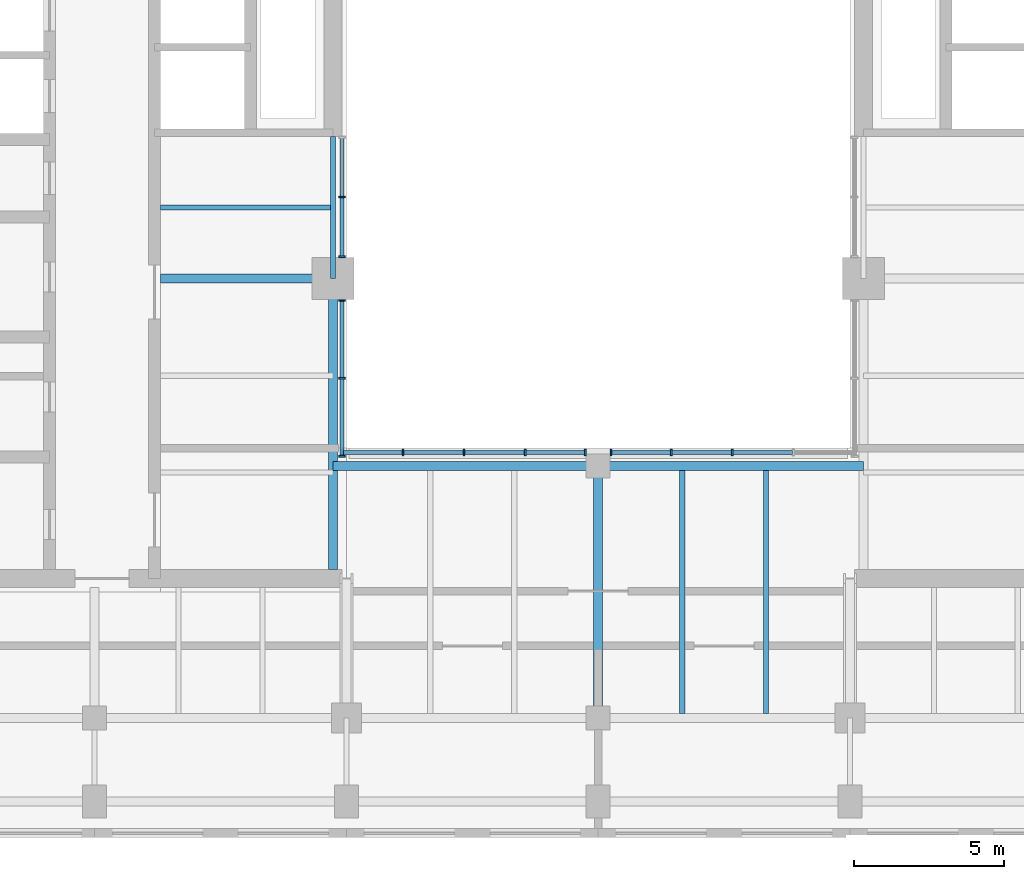
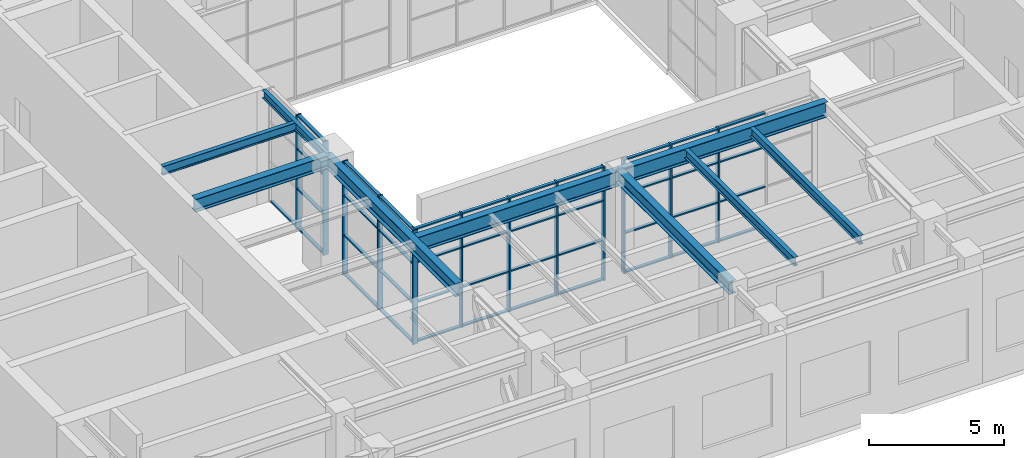
# One storey, part 2 of 11: 54 members, 9 beams, 4 elements without a shape of their own.
"""IFC4 building model written with IfcOpenShell, lengths in metres."""

from ifc_helpers import new_model, si_unit, direction, frame, origin, origin_2d, place, context, subcontext, project, spatial, rectangle, i_section, extrude, material, material_profile, profile_set, type_object, element, aggregate, save


model = new_model("IFC4")

# Units and contexts
model_context = context("Model", 3, precision=1e-05, world=origin(), true_north=direction((0.0, 1.0)))
body_context = subcontext(model_context, "Body", "Model", "MODEL_VIEW")
ifc_project = project(units=[si_unit("LENGTHUNIT", "METRE"), si_unit("AREAUNIT", "SQUARE_METRE"), si_unit("VOLUMEUNIT", "CUBIC_METRE"), si_unit("PLANEANGLEUNIT", "RADIAN"), si_unit("MASSUNIT", "GRAM", prefix="KILO")], contexts=[model_context])

# Site, building, storey
site_placement = place(None, origin())
site = spatial("IfcSite", under=ifc_project, at=site_placement, CompositionType="ELEMENT")
building_placement = place(site_placement, origin())
building = spatial("IfcBuilding", under=site, at=building_placement, Name="Claustro Exchange Tower", CompositionType="ELEMENT")
storey_placement = place(building_placement, frame((0.0, 0.0, 281.699951171875)))
storey = spatial("IfcBuildingStorey", under=building, at=storey_placement, Name="L64", CompositionType="ELEMENT", Elevation=281.699951171875)

# Beams
ifc_material_1 = material(Name="Steel S355", Category="steel")
ifc_material_profile_1 = material_profile(ifc_material_1, i_section(OverallWidth=0.300048828125, OverallDepth=0.590087890625, WebThickness=0.012939453125, FlangeThickness=0.02490234375, FilletRadius=0.027099609375, at=origin_2d()), Name="HE 600 A")
ifc_profile_set_1 = profile_set([ifc_material_profile_1], Name="Steel S355")
beam_type_1 = type_object("IfcBeamType", Name="B10 HE 600 A floor girder", PredefinedType="BEAM", material=ifc_profile_set_1)
beam_1_placement = place(storey_placement, frame((25.199951171875, 8.39990234375, 4.85498046875), z_axis=(0.0, 1.0, 0.0), x_axis=(-1.0, 0.0, 0.0)))
element("IfcBeam", 1, at=beam_1_placement, inside=storey, type_object=beam_type_1, Name="Beam B10 ROOF", PredefinedType="BEAM", context=body_context, shape_type="SweptSolid", body=[
    extrude(i_section(OverallWidth=0.300048828125, OverallDepth=0.590087890625, WebThickness=0.012939453125, FlangeThickness=0.02490234375, FilletRadius=0.027099609375, at=origin_2d()), origin(), (0.0, 0.0, 1.0), 8.400146484375),
])
beam_2_placement = place(storey_placement, frame((10.60009765625, 23.050048828125, 4.85498046875), z_axis=(1.0, 0.0, 0.0), x_axis=(0.0, 1.0, 0.0)))
element("IfcBeam", 2, at=beam_2_placement, inside=storey, type_object=beam_type_1, Name="Beam B10 core step framing ROOF", PredefinedType="BEAM", context=body_context, shape_type="SweptSolid", body=[
    extrude(i_section(OverallWidth=0.300048828125, OverallDepth=0.590087890625, WebThickness=0.012939453125, FlangeThickness=0.02490234375, FilletRadius=0.027099609375, at=origin_2d()), origin(), (0.0, 0.0, 1.0), 5.75),
])
beam_3_placement = place(storey_placement, frame((16.35009765625, 13.35009765625, 4.85498046875), z_axis=(0.0, 1.0, 0.0), x_axis=(-1.0, 0.0, 0.0)))
element("IfcBeam", 3, at=beam_3_placement, inside=storey, type_object=beam_type_1, Name="Beam B10 core step framing ROOF", PredefinedType="BEAM", context=body_context, shape_type="SweptSolid", body=[
    extrude(i_section(OverallWidth=0.300048828125, OverallDepth=0.590087890625, WebThickness=0.012939453125, FlangeThickness=0.02490234375, FilletRadius=0.027099609375, at=origin_2d()), origin(), (0.0, 0.0, 1.0), 9.699951171875),
])
ifc_material_2 = material(Name="Steel S355", Category="steel")
ifc_material_profile_2 = material_profile(ifc_material_2, i_section(OverallWidth=0.179931640625, OverallDepth=0.39990234375, WebThickness=0.008544921875, FlangeThickness=0.013427734375, FilletRadius=0.02099609375, at=origin_2d()), Name="IPE 400")
ifc_profile_set_2 = profile_set([ifc_material_profile_2], Name="Steel S355")
beam_type_2 = type_object("IfcBeamType", Name="B11 IPE 400 secondary beam", PredefinedType="BEAM", material=ifc_profile_set_2)
for number, where, z_axis, x_axis, name in (
    (4, (28.0, 8.550048828125, 4.949951171875), (0.0, 1.0, 0.0), (-1.0, 0.0, 0.0), "Beam B11 ROOF"),
    (5, (30.800048828125, 8.550048828125, 4.949951171875), (0.0, 1.0, 0.0), (-1.0, 0.0, 0.0), "Beam B11 ROOF"),
):
    element("IfcBeam", number, at=place(storey_placement, frame(where, z_axis=z_axis, x_axis=x_axis)), inside=storey, type_object=beam_type_2, Name=name, PredefinedType="BEAM", context=body_context, shape_type="SweptSolid", body=[
        extrude(i_section(OverallWidth=0.179931640625, OverallDepth=0.39990234375, WebThickness=0.008544921875, FlangeThickness=0.013427734375, FilletRadius=0.02099609375, at=origin_2d()), origin(), (0.0, 0.0, 1.0), 8.099853515625),
    ])
beam_4_placement = place(storey_placement, frame((10.60009765625, 25.425048828125, 4.949951171875), z_axis=(1.0, 0.0, 0.0), x_axis=(0.0, 1.0, 0.0)))
element("IfcBeam", 6, at=beam_4_placement, inside=storey, type_object=beam_type_2, Name="Beam B11 core step framing ROOF", PredefinedType="BEAM", context=body_context, shape_type="SweptSolid", body=[
    extrude(i_section(OverallWidth=0.179931640625, OverallDepth=0.39990234375, WebThickness=0.008544921875, FlangeThickness=0.013427734375, FilletRadius=0.02099609375, at=origin_2d()), origin(), (0.0, 0.0, 1.0), 5.75),
])
ifc_material_3 = material(Name="Steel S355", Category="steel")
ifc_material_profile_3 = material_profile(ifc_material_3, i_section(OverallWidth=0.300048828125, OverallDepth=0.68994140625, WebThickness=0.014404296875, FlangeThickness=0.027099609375, FilletRadius=0.027099609375, at=origin_2d()), Name="HE 700 A")
ifc_profile_set_3 = profile_set([ifc_material_profile_3], Name="Steel S355")
beam_type_3 = type_object("IfcBeamType", Name="B13 HE 700 A light well edge girder", PredefinedType="BEAM", material=ifc_profile_set_3)
beam_5_placement = place(storey_placement, frame((16.35009765625, 16.800048828125, 4.804931640625), z_axis=(1.0, 0.0, 0.0), x_axis=(0.0, 1.0, 0.0)))
element("IfcBeam", 7, at=beam_5_placement, inside=storey, type_object=beam_type_3, Name="Beam B13 ROOF", PredefinedType="BEAM", context=body_context, shape_type="SweptSolid", body=[
    extrude(i_section(OverallWidth=0.300048828125, OverallDepth=0.68994140625, WebThickness=0.014404296875, FlangeThickness=0.027099609375, FilletRadius=0.027099609375, at=origin_2d()), origin(), (0.0, 0.0, 1.0), 8.849853515625),
])
beam_6_placement = place(storey_placement, frame((25.199951171875, 16.800048828125, 4.804931640625), z_axis=(1.0, 0.0, 0.0), x_axis=(0.0, 1.0, 0.0)))
element("IfcBeam", 8, at=beam_6_placement, inside=storey, type_object=beam_type_3, Name="Beam B13 ROOF", PredefinedType="BEAM", context=body_context, shape_type="SweptSolid", body=[
    extrude(i_section(OverallWidth=0.300048828125, OverallDepth=0.68994140625, WebThickness=0.014404296875, FlangeThickness=0.027099609375, FilletRadius=0.027099609375, at=origin_2d()), origin(), (0.0, 0.0, 1.0), 8.85009765625),
])
ifc_material_4 = material(Name="Steel S355", Category="steel")
ifc_material_profile_4 = material_profile(ifc_material_4, i_section(OverallWidth=0.169921875, OverallDepth=0.360107421875, WebThickness=0.008056640625, FlangeThickness=0.0126953125, FilletRadius=0.01806640625, at=origin_2d()), Name="IPE 360")
ifc_profile_set_4 = profile_set([ifc_material_profile_4], Name="Steel S355")
beam_type_4 = type_object("IfcBeamType", Name="B16 IPE 360 short-span beam", PredefinedType="BEAM", material=ifc_profile_set_4)
beam_7_placement = place(storey_placement, frame((16.35009765625, 23.050048828125, 4.969970703125), z_axis=(0.0, 1.0, 0.0), x_axis=(-1.0, 0.0, 0.0)))
element("IfcBeam", 9, at=beam_7_placement, inside=storey, type_object=beam_type_4, Name="Beam B16 core step framing ROOF", PredefinedType="BEAM", context=body_context, shape_type="SweptSolid", body=[
    extrude(i_section(OverallWidth=0.169921875, OverallDepth=0.360107421875, WebThickness=0.008056640625, FlangeThickness=0.0126953125, FilletRadius=0.01806640625, at=origin_2d()), origin(), (0.0, 0.0, 1.0), 4.75),
])

# Curtain wall, members
ifc_material_5 = material(Name="Aluminium frame, clear double glazing", Category="aluminium")
curtain_wall_type = type_object("IfcCurtainWallType", Name="CW4 plant louvre screen", PredefinedType="USERDEFINED", material=ifc_material_5)
curtain_wall_1_placement = place(storey_placement, origin())
curtain_wall_1 = element("IfcCurtainWall", 10, at=curtain_wall_1_placement, inside=storey, type_object=curtain_wall_type, Name="Curtain wall CW4 L64", ObjectType="STICK CURTAIN WALL", PredefinedType="USERDEFINED")
ifc_material_6 = material(Name="Aluminium mullion", Category="aluminium")
ifc_material_profile_5 = material_profile(ifc_material_6, rectangle(XDim=0.219970703125, YDim=0.06005859375, at=origin_2d()), Name="CW4-M 60x220")
ifc_profile_set_5 = profile_set([ifc_material_profile_5], Name="Aluminium mullion")
member_type_1 = type_object("IfcMemberType", Name="CW4-M 60 x 220 mullion", PredefinedType="MULLION", material=ifc_profile_set_5)
member_1_placement = place(storey_placement, frame((16.64990234375, 17.1298828125, 0.0), z_axis=(0.0, 0.0, 1.0), x_axis=(-1.0, 0.0, 0.0)))
member_1 = element("IfcMember", 11, at=member_1_placement, type_object=member_type_1, Name="CW4 mullion 1", PredefinedType="MULLION", context=body_context, shape_type="SweptSolid", body=[
    extrude(rectangle(XDim=0.219970703125, YDim=0.06005859375, at=origin_2d()), origin(), (0.0, 0.0, 1.0), 5.150146484375),
])
member_2_placement = place(storey_placement, frame((16.64990234375, 19.72509765625, 0.0), z_axis=(0.0, 0.0, 1.0), x_axis=(-1.0, 0.0, 0.0)))
member_2 = element("IfcMember", 12, at=member_2_placement, type_object=member_type_1, Name="CW4 mullion 2", PredefinedType="MULLION", context=body_context, shape_type="SweptSolid", body=[
    extrude(rectangle(XDim=0.219970703125, YDim=0.06005859375, at=origin_2d()), origin(), (0.0, 0.0, 1.0), 5.150146484375),
])
member_3_placement = place(storey_placement, frame((16.64990234375, 22.320068359375, 0.0), z_axis=(0.0, 0.0, 1.0), x_axis=(-1.0, 0.0, 0.0)))
member_3 = element("IfcMember", 13, at=member_3_placement, type_object=member_type_1, Name="CW4 mullion 3", PredefinedType="MULLION", context=body_context, shape_type="SweptSolid", body=[
    extrude(rectangle(XDim=0.219970703125, YDim=0.06005859375, at=origin_2d()), origin(), (0.0, 0.0, 1.0), 5.150146484375),
])

curtain_wall_2_placement = place(storey_placement, origin())
curtain_wall_2 = element("IfcCurtainWall", 14, at=curtain_wall_2_placement, inside=storey, type_object=curtain_wall_type, Name="Curtain wall CW4 L64", ObjectType="STICK CURTAIN WALL", PredefinedType="USERDEFINED")
member_4_placement = place(storey_placement, frame((16.64990234375, 23.780029296875, 0.0), z_axis=(0.0, 0.0, 1.0), x_axis=(-1.0, 0.0, 0.0)))
member_4 = element("IfcMember", 15, at=member_4_placement, type_object=member_type_1, Name="CW4 mullion 1", PredefinedType="MULLION", context=body_context, shape_type="SweptSolid", body=[
    extrude(rectangle(XDim=0.219970703125, YDim=0.06005859375, at=origin_2d()), origin(), (0.0, 0.0, 1.0), 5.150146484375),
])
member_5_placement = place(storey_placement, frame((16.64990234375, 25.77490234375, 0.0), z_axis=(0.0, 0.0, 1.0), x_axis=(-1.0, 0.0, 0.0)))
member_5 = element("IfcMember", 16, at=member_5_placement, type_object=member_type_1, Name="CW4 mullion 2", PredefinedType="MULLION", context=body_context, shape_type="SweptSolid", body=[
    extrude(rectangle(XDim=0.219970703125, YDim=0.06005859375, at=origin_2d()), origin(), (0.0, 0.0, 1.0), 5.150146484375),
])

curtain_wall_3_placement = place(storey_placement, origin())
curtain_wall_3 = element("IfcCurtainWall", 17, at=curtain_wall_3_placement, inside=storey, type_object=curtain_wall_type, Name="Curtain wall CW4 L64", ObjectType="STICK CURTAIN WALL", PredefinedType="USERDEFINED")
member_6_placement = place(storey_placement, frame((16.679931640625, 17.25, 0.0), z_axis=(0.0, 0.0, 1.0), x_axis=(0.0, 1.0, 0.0)))
member_6 = element("IfcMember", 18, at=member_6_placement, type_object=member_type_1, Name="CW4 mullion 1", PredefinedType="MULLION", context=body_context, shape_type="SweptSolid", body=[
    extrude(rectangle(XDim=0.219970703125, YDim=0.06005859375, at=origin_2d()), origin(), (0.0, 0.0, 1.0), 5.150146484375),
])
member_7_placement = place(storey_placement, frame((18.6875, 17.25, 0.0), z_axis=(0.0, 0.0, 1.0), x_axis=(0.0, 1.0, 0.0)))
member_7 = element("IfcMember", 19, at=member_7_placement, type_object=member_type_1, Name="CW4 mullion 2", PredefinedType="MULLION", context=body_context, shape_type="SweptSolid", body=[
    extrude(rectangle(XDim=0.219970703125, YDim=0.06005859375, at=origin_2d()), origin(), (0.0, 0.0, 1.0), 5.150146484375),
])
member_8_placement = place(storey_placement, frame((20.72509765625, 17.25, 0.0), z_axis=(0.0, 0.0, 1.0), x_axis=(0.0, 1.0, 0.0)))
member_8 = element("IfcMember", 20, at=member_8_placement, type_object=member_type_1, Name="CW4 mullion 3", PredefinedType="MULLION", context=body_context, shape_type="SweptSolid", body=[
    extrude(rectangle(XDim=0.219970703125, YDim=0.06005859375, at=origin_2d()), origin(), (0.0, 0.0, 1.0), 5.150146484375),
])
member_9_placement = place(storey_placement, frame((22.762451171875, 17.25, 0.0), z_axis=(0.0, 0.0, 1.0), x_axis=(0.0, 1.0, 0.0)))
member_9 = element("IfcMember", 21, at=member_9_placement, type_object=member_type_1, Name="CW4 mullion 4", PredefinedType="MULLION", context=body_context, shape_type="SweptSolid", body=[
    extrude(rectangle(XDim=0.219970703125, YDim=0.06005859375, at=origin_2d()), origin(), (0.0, 0.0, 1.0), 5.150146484375),
])
member_10_placement = place(storey_placement, frame((24.77001953125, 17.25, 0.0), z_axis=(0.0, 0.0, 1.0), x_axis=(0.0, 1.0, 0.0)))
member_10 = element("IfcMember", 22, at=member_10_placement, type_object=member_type_1, Name="CW4 mullion 5", PredefinedType="MULLION", context=body_context, shape_type="SweptSolid", body=[
    extrude(rectangle(XDim=0.219970703125, YDim=0.06005859375, at=origin_2d()), origin(), (0.0, 0.0, 1.0), 5.150146484375),
])

curtain_wall_4_placement = place(storey_placement, origin())
curtain_wall_4 = element("IfcCurtainWall", 23, at=curtain_wall_4_placement, inside=storey, type_object=curtain_wall_type, Name="Curtain wall CW4 L64", ObjectType="STICK CURTAIN WALL", PredefinedType="USERDEFINED")
member_11_placement = place(storey_placement, frame((25.6298828125, 17.25, 0.0), z_axis=(0.0, 0.0, 1.0), x_axis=(0.0, 1.0, 0.0)))
member_11 = element("IfcMember", 24, at=member_11_placement, type_object=member_type_1, Name="CW4 mullion 1", PredefinedType="MULLION", context=body_context, shape_type="SweptSolid", body=[
    extrude(rectangle(XDim=0.219970703125, YDim=0.06005859375, at=origin_2d()), origin(), (0.0, 0.0, 1.0), 5.150146484375),
])
member_12_placement = place(storey_placement, frame((27.637451171875, 17.25, 0.0), z_axis=(0.0, 0.0, 1.0), x_axis=(0.0, 1.0, 0.0)))
member_12 = element("IfcMember", 25, at=member_12_placement, type_object=member_type_1, Name="CW4 mullion 2", PredefinedType="MULLION", context=body_context, shape_type="SweptSolid", body=[
    extrude(rectangle(XDim=0.219970703125, YDim=0.06005859375, at=origin_2d()), origin(), (0.0, 0.0, 1.0), 5.150146484375),
])
member_13_placement = place(storey_placement, frame((29.675048828125, 17.25, 0.0), z_axis=(0.0, 0.0, 1.0), x_axis=(0.0, 1.0, 0.0)))
member_13 = element("IfcMember", 26, at=member_13_placement, type_object=member_type_1, Name="CW4 mullion 3", PredefinedType="MULLION", context=body_context, shape_type="SweptSolid", body=[
    extrude(rectangle(XDim=0.219970703125, YDim=0.06005859375, at=origin_2d()), origin(), (0.0, 0.0, 1.0), 5.150146484375),
])

# Member
ifc_material_7 = material(Name="Aluminium transom", Category="aluminium")
ifc_material_profile_6 = material_profile(ifc_material_7, rectangle(XDim=0.139892578125, YDim=0.06005859375, at=origin_2d()), Name="CW4-T 60x140")
ifc_profile_set_6 = profile_set([ifc_material_profile_6], Name="Aluminium transom")
member_type_2 = type_object("IfcMemberType", Name="CW4-T 60 x 140 transom", PredefinedType="USERDEFINED", material=ifc_profile_set_6)
member_14_placement = place(storey_placement, frame((16.64990234375, 17.159912109375, 0.030029296875), z_axis=(0.0, 1.0, 0.0), x_axis=(-1.0, 0.0, 0.0)))
member_14 = element("IfcMember", 27, at=member_14_placement, type_object=member_type_2, Name="CW4 transom 1.1", ObjectType="TRANSOM", PredefinedType="USERDEFINED", context=body_context, shape_type="SweptSolid", body=[
    extrude(rectangle(XDim=0.139892578125, YDim=0.06005859375, at=origin_2d()), origin(), (0.0, 0.0, 1.0), 2.53515625),
])

member_15_placement = place(storey_placement, frame((16.64990234375, 17.159912109375, 1.800048828125), z_axis=(0.0, 1.0, 0.0), x_axis=(-1.0, 0.0, 0.0)))
member_15 = element("IfcMember", 28, at=member_15_placement, type_object=member_type_2, Name="CW4 transom 1.2", ObjectType="TRANSOM", PredefinedType="USERDEFINED", context=body_context, shape_type="SweptSolid", body=[
    extrude(rectangle(XDim=0.139892578125, YDim=0.06005859375, at=origin_2d()), origin(), (0.0, 0.0, 1.0), 2.53515625),
])

member_16_placement = place(storey_placement, frame((16.64990234375, 17.159912109375, 3.60009765625), z_axis=(0.0, 1.0, 0.0), x_axis=(-1.0, 0.0, 0.0)))
member_16 = element("IfcMember", 29, at=member_16_placement, type_object=member_type_2, Name="CW4 transom 1.3", ObjectType="TRANSOM", PredefinedType="USERDEFINED", context=body_context, shape_type="SweptSolid", body=[
    extrude(rectangle(XDim=0.139892578125, YDim=0.06005859375, at=origin_2d()), origin(), (0.0, 0.0, 1.0), 2.53515625),
])

member_17_placement = place(storey_placement, frame((16.64990234375, 17.159912109375, 5.1201171875), z_axis=(0.0, 1.0, 0.0), x_axis=(-1.0, 0.0, 0.0)))
member_17 = element("IfcMember", 30, at=member_17_placement, type_object=member_type_2, Name="CW4 transom 1.4", ObjectType="TRANSOM", PredefinedType="USERDEFINED", context=body_context, shape_type="SweptSolid", body=[
    extrude(rectangle(XDim=0.139892578125, YDim=0.06005859375, at=origin_2d()), origin(), (0.0, 0.0, 1.0), 2.53515625),
])

member_18_placement = place(storey_placement, frame((16.64990234375, 19.7548828125, 0.030029296875), z_axis=(0.0, 1.0, 0.0), x_axis=(-1.0, 0.0, 0.0)))
member_18 = element("IfcMember", 31, at=member_18_placement, type_object=member_type_2, Name="CW4 transom 2.1", ObjectType="TRANSOM", PredefinedType="USERDEFINED", context=body_context, shape_type="SweptSolid", body=[
    extrude(rectangle(XDim=0.139892578125, YDim=0.06005859375, at=origin_2d()), origin(), (0.0, 0.0, 1.0), 2.53515625),
])

member_19_placement = place(storey_placement, frame((16.64990234375, 19.7548828125, 1.800048828125), z_axis=(0.0, 1.0, 0.0), x_axis=(-1.0, 0.0, 0.0)))
member_19 = element("IfcMember", 32, at=member_19_placement, type_object=member_type_2, Name="CW4 transom 2.2", ObjectType="TRANSOM", PredefinedType="USERDEFINED", context=body_context, shape_type="SweptSolid", body=[
    extrude(rectangle(XDim=0.139892578125, YDim=0.06005859375, at=origin_2d()), origin(), (0.0, 0.0, 1.0), 2.53515625),
])

member_20_placement = place(storey_placement, frame((16.64990234375, 19.7548828125, 3.60009765625), z_axis=(0.0, 1.0, 0.0), x_axis=(-1.0, 0.0, 0.0)))
member_20 = element("IfcMember", 33, at=member_20_placement, type_object=member_type_2, Name="CW4 transom 2.3", ObjectType="TRANSOM", PredefinedType="USERDEFINED", context=body_context, shape_type="SweptSolid", body=[
    extrude(rectangle(XDim=0.139892578125, YDim=0.06005859375, at=origin_2d()), origin(), (0.0, 0.0, 1.0), 2.53515625),
])

member_21_placement = place(storey_placement, frame((16.64990234375, 19.7548828125, 5.1201171875), z_axis=(0.0, 1.0, 0.0), x_axis=(-1.0, 0.0, 0.0)))
member_21 = element("IfcMember", 34, at=member_21_placement, type_object=member_type_2, Name="CW4 transom 2.4", ObjectType="TRANSOM", PredefinedType="USERDEFINED", context=body_context, shape_type="SweptSolid", body=[
    extrude(rectangle(XDim=0.139892578125, YDim=0.06005859375, at=origin_2d()), origin(), (0.0, 0.0, 1.0), 2.53515625),
])

aggregate(curtain_wall_1, [member_1, member_2, member_3, member_14, member_15, member_16, member_17, member_18, member_19, member_20, member_21])

member_22_placement = place(storey_placement, frame((16.64990234375, 23.81005859375, 0.030029296875), z_axis=(0.0, 1.0, 0.0), x_axis=(-1.0, 0.0, 0.0)))
member_22 = element("IfcMember", 35, at=member_22_placement, type_object=member_type_2, Name="CW4 transom 1.1", ObjectType="TRANSOM", PredefinedType="USERDEFINED", context=body_context, shape_type="SweptSolid", body=[
    extrude(rectangle(XDim=0.139892578125, YDim=0.06005859375, at=origin_2d()), origin(), (0.0, 0.0, 1.0), 1.93505859375),
])

member_23_placement = place(storey_placement, frame((16.64990234375, 23.81005859375, 1.800048828125), z_axis=(0.0, 1.0, 0.0), x_axis=(-1.0, 0.0, 0.0)))
member_23 = element("IfcMember", 36, at=member_23_placement, type_object=member_type_2, Name="CW4 transom 1.2", ObjectType="TRANSOM", PredefinedType="USERDEFINED", context=body_context, shape_type="SweptSolid", body=[
    extrude(rectangle(XDim=0.139892578125, YDim=0.06005859375, at=origin_2d()), origin(), (0.0, 0.0, 1.0), 1.93505859375),
])

member_24_placement = place(storey_placement, frame((16.64990234375, 23.81005859375, 3.60009765625), z_axis=(0.0, 1.0, 0.0), x_axis=(-1.0, 0.0, 0.0)))
member_24 = element("IfcMember", 37, at=member_24_placement, type_object=member_type_2, Name="CW4 transom 1.3", ObjectType="TRANSOM", PredefinedType="USERDEFINED", context=body_context, shape_type="SweptSolid", body=[
    extrude(rectangle(XDim=0.139892578125, YDim=0.06005859375, at=origin_2d()), origin(), (0.0, 0.0, 1.0), 1.93505859375),
])

member_25_placement = place(storey_placement, frame((16.64990234375, 23.81005859375, 5.1201171875), z_axis=(0.0, 1.0, 0.0), x_axis=(-1.0, 0.0, 0.0)))
member_25 = element("IfcMember", 38, at=member_25_placement, type_object=member_type_2, Name="CW4 transom 1.4", ObjectType="TRANSOM", PredefinedType="USERDEFINED", context=body_context, shape_type="SweptSolid", body=[
    extrude(rectangle(XDim=0.139892578125, YDim=0.06005859375, at=origin_2d()), origin(), (0.0, 0.0, 1.0), 1.93505859375),
])

member_26_placement = place(storey_placement, frame((16.64990234375, 25.804931640625, 0.030029296875), z_axis=(0.0, 1.0, 0.0), x_axis=(-1.0, 0.0, 0.0)))
member_26 = element("IfcMember", 39, at=member_26_placement, type_object=member_type_2, Name="CW4 transom 2.1", ObjectType="TRANSOM", PredefinedType="USERDEFINED", context=body_context, shape_type="SweptSolid", body=[
    extrude(rectangle(XDim=0.139892578125, YDim=0.06005859375, at=origin_2d()), origin(), (0.0, 0.0, 1.0), 1.93505859375),
])

aggregate(curtain_wall_2, [member_4, member_5, member_22, member_23, member_24, member_25, member_26])

member_27_placement = place(storey_placement, frame((16.7099609375, 17.25, 0.030029296875), z_axis=(1.0, 0.0, 0.0), x_axis=(0.0, 1.0, 0.0)))
member_27 = element("IfcMember", 40, at=member_27_placement, type_object=member_type_2, Name="CW4 transom 1.1", ObjectType="TRANSOM", PredefinedType="USERDEFINED", context=body_context, shape_type="SweptSolid", body=[
    extrude(rectangle(XDim=0.139892578125, YDim=0.06005859375, at=origin_2d()), origin(), (0.0, 0.0, 1.0), 1.947509765625),
])

member_28_placement = place(storey_placement, frame((16.7099609375, 17.25, 1.800048828125), z_axis=(1.0, 0.0, 0.0), x_axis=(0.0, 1.0, 0.0)))
member_28 = element("IfcMember", 41, at=member_28_placement, type_object=member_type_2, Name="CW4 transom 1.2", ObjectType="TRANSOM", PredefinedType="USERDEFINED", context=body_context, shape_type="SweptSolid", body=[
    extrude(rectangle(XDim=0.139892578125, YDim=0.06005859375, at=origin_2d()), origin(), (0.0, 0.0, 1.0), 1.947509765625),
])

member_29_placement = place(storey_placement, frame((16.7099609375, 17.25, 3.60009765625), z_axis=(1.0, 0.0, 0.0), x_axis=(0.0, 1.0, 0.0)))
member_29 = element("IfcMember", 42, at=member_29_placement, type_object=member_type_2, Name="CW4 transom 1.3", ObjectType="TRANSOM", PredefinedType="USERDEFINED", context=body_context, shape_type="SweptSolid", body=[
    extrude(rectangle(XDim=0.139892578125, YDim=0.06005859375, at=origin_2d()), origin(), (0.0, 0.0, 1.0), 1.947509765625),
])

member_30_placement = place(storey_placement, frame((16.7099609375, 17.25, 5.1201171875), z_axis=(1.0, 0.0, 0.0), x_axis=(0.0, 1.0, 0.0)))
member_30 = element("IfcMember", 43, at=member_30_placement, type_object=member_type_2, Name="CW4 transom 1.4", ObjectType="TRANSOM", PredefinedType="USERDEFINED", context=body_context, shape_type="SweptSolid", body=[
    extrude(rectangle(XDim=0.139892578125, YDim=0.06005859375, at=origin_2d()), origin(), (0.0, 0.0, 1.0), 1.947509765625),
])

member_31_placement = place(storey_placement, frame((18.717529296875, 17.25, 0.030029296875), z_axis=(1.0, 0.0, 0.0), x_axis=(0.0, 1.0, 0.0)))
member_31 = element("IfcMember", 44, at=member_31_placement, type_object=member_type_2, Name="CW4 transom 2.1", ObjectType="TRANSOM", PredefinedType="USERDEFINED", context=body_context, shape_type="SweptSolid", body=[
    extrude(rectangle(XDim=0.139892578125, YDim=0.06005859375, at=origin_2d()), origin(), (0.0, 0.0, 1.0), 1.9775390625),
])

member_32_placement = place(storey_placement, frame((18.717529296875, 17.25, 1.800048828125), z_axis=(1.0, 0.0, 0.0), x_axis=(0.0, 1.0, 0.0)))
member_32 = element("IfcMember", 45, at=member_32_placement, type_object=member_type_2, Name="CW4 transom 2.2", ObjectType="TRANSOM", PredefinedType="USERDEFINED", context=body_context, shape_type="SweptSolid", body=[
    extrude(rectangle(XDim=0.139892578125, YDim=0.06005859375, at=origin_2d()), origin(), (0.0, 0.0, 1.0), 1.9775390625),
])

member_33_placement = place(storey_placement, frame((18.717529296875, 17.25, 3.60009765625), z_axis=(1.0, 0.0, 0.0), x_axis=(0.0, 1.0, 0.0)))
member_33 = element("IfcMember", 46, at=member_33_placement, type_object=member_type_2, Name="CW4 transom 2.3", ObjectType="TRANSOM", PredefinedType="USERDEFINED", context=body_context, shape_type="SweptSolid", body=[
    extrude(rectangle(XDim=0.139892578125, YDim=0.06005859375, at=origin_2d()), origin(), (0.0, 0.0, 1.0), 1.9775390625),
])

member_34_placement = place(storey_placement, frame((18.717529296875, 17.25, 5.1201171875), z_axis=(1.0, 0.0, 0.0), x_axis=(0.0, 1.0, 0.0)))
member_34 = element("IfcMember", 47, at=member_34_placement, type_object=member_type_2, Name="CW4 transom 2.4", ObjectType="TRANSOM", PredefinedType="USERDEFINED", context=body_context, shape_type="SweptSolid", body=[
    extrude(rectangle(XDim=0.139892578125, YDim=0.06005859375, at=origin_2d()), origin(), (0.0, 0.0, 1.0), 1.9775390625),
])

member_35_placement = place(storey_placement, frame((20.7548828125, 17.25, 0.030029296875), z_axis=(1.0, 0.0, 0.0), x_axis=(0.0, 1.0, 0.0)))
member_35 = element("IfcMember", 48, at=member_35_placement, type_object=member_type_2, Name="CW4 transom 3.1", ObjectType="TRANSOM", PredefinedType="USERDEFINED", context=body_context, shape_type="SweptSolid", body=[
    extrude(rectangle(XDim=0.139892578125, YDim=0.06005859375, at=origin_2d()), origin(), (0.0, 0.0, 1.0), 1.9775390625),
])

member_36_placement = place(storey_placement, frame((20.7548828125, 17.25, 1.800048828125), z_axis=(1.0, 0.0, 0.0), x_axis=(0.0, 1.0, 0.0)))
member_36 = element("IfcMember", 49, at=member_36_placement, type_object=member_type_2, Name="CW4 transom 3.2", ObjectType="TRANSOM", PredefinedType="USERDEFINED", context=body_context, shape_type="SweptSolid", body=[
    extrude(rectangle(XDim=0.139892578125, YDim=0.06005859375, at=origin_2d()), origin(), (0.0, 0.0, 1.0), 1.9775390625),
])

member_37_placement = place(storey_placement, frame((20.7548828125, 17.25, 3.60009765625), z_axis=(1.0, 0.0, 0.0), x_axis=(0.0, 1.0, 0.0)))
member_37 = element("IfcMember", 50, at=member_37_placement, type_object=member_type_2, Name="CW4 transom 3.3", ObjectType="TRANSOM", PredefinedType="USERDEFINED", context=body_context, shape_type="SweptSolid", body=[
    extrude(rectangle(XDim=0.139892578125, YDim=0.06005859375, at=origin_2d()), origin(), (0.0, 0.0, 1.0), 1.9775390625),
])

member_38_placement = place(storey_placement, frame((20.7548828125, 17.25, 5.1201171875), z_axis=(1.0, 0.0, 0.0), x_axis=(0.0, 1.0, 0.0)))
member_38 = element("IfcMember", 51, at=member_38_placement, type_object=member_type_2, Name="CW4 transom 3.4", ObjectType="TRANSOM", PredefinedType="USERDEFINED", context=body_context, shape_type="SweptSolid", body=[
    extrude(rectangle(XDim=0.139892578125, YDim=0.06005859375, at=origin_2d()), origin(), (0.0, 0.0, 1.0), 1.9775390625),
])

member_39_placement = place(storey_placement, frame((22.79248046875, 17.25, 0.030029296875), z_axis=(1.0, 0.0, 0.0), x_axis=(0.0, 1.0, 0.0)))
member_39 = element("IfcMember", 52, at=member_39_placement, type_object=member_type_2, Name="CW4 transom 4.1", ObjectType="TRANSOM", PredefinedType="USERDEFINED", context=body_context, shape_type="SweptSolid", body=[
    extrude(rectangle(XDim=0.139892578125, YDim=0.06005859375, at=origin_2d()), origin(), (0.0, 0.0, 1.0), 1.947509765625),
])

member_40_placement = place(storey_placement, frame((22.79248046875, 17.25, 1.800048828125), z_axis=(1.0, 0.0, 0.0), x_axis=(0.0, 1.0, 0.0)))
member_40 = element("IfcMember", 53, at=member_40_placement, type_object=member_type_2, Name="CW4 transom 4.2", ObjectType="TRANSOM", PredefinedType="USERDEFINED", context=body_context, shape_type="SweptSolid", body=[
    extrude(rectangle(XDim=0.139892578125, YDim=0.06005859375, at=origin_2d()), origin(), (0.0, 0.0, 1.0), 1.947509765625),
])

member_41_placement = place(storey_placement, frame((22.79248046875, 17.25, 3.60009765625), z_axis=(1.0, 0.0, 0.0), x_axis=(0.0, 1.0, 0.0)))
member_41 = element("IfcMember", 54, at=member_41_placement, type_object=member_type_2, Name="CW4 transom 4.3", ObjectType="TRANSOM", PredefinedType="USERDEFINED", context=body_context, shape_type="SweptSolid", body=[
    extrude(rectangle(XDim=0.139892578125, YDim=0.06005859375, at=origin_2d()), origin(), (0.0, 0.0, 1.0), 1.947509765625),
])

member_42_placement = place(storey_placement, frame((22.79248046875, 17.25, 5.1201171875), z_axis=(1.0, 0.0, 0.0), x_axis=(0.0, 1.0, 0.0)))
member_42 = element("IfcMember", 55, at=member_42_placement, type_object=member_type_2, Name="CW4 transom 4.4", ObjectType="TRANSOM", PredefinedType="USERDEFINED", context=body_context, shape_type="SweptSolid", body=[
    extrude(rectangle(XDim=0.139892578125, YDim=0.06005859375, at=origin_2d()), origin(), (0.0, 0.0, 1.0), 1.947509765625),
])

aggregate(curtain_wall_3, [member_6, member_7, member_8, member_9, member_10, member_27, member_28, member_29, member_30, member_31, member_32, member_33, member_34, member_35, member_36, member_37, member_38, member_39, member_40, member_41, member_42])

member_43_placement = place(storey_placement, frame((25.659912109375, 17.25, 0.030029296875), z_axis=(1.0, 0.0, 0.0), x_axis=(0.0, 1.0, 0.0)))
member_43 = element("IfcMember", 56, at=member_43_placement, type_object=member_type_2, Name="CW4 transom 1.1", ObjectType="TRANSOM", PredefinedType="USERDEFINED", context=body_context, shape_type="SweptSolid", body=[
    extrude(rectangle(XDim=0.139892578125, YDim=0.06005859375, at=origin_2d()), origin(), (0.0, 0.0, 1.0), 1.947509765625),
])

member_44_placement = place(storey_placement, frame((25.659912109375, 17.25, 1.800048828125), z_axis=(1.0, 0.0, 0.0), x_axis=(0.0, 1.0, 0.0)))
member_44 = element("IfcMember", 57, at=member_44_placement, type_object=member_type_2, Name="CW4 transom 1.2", ObjectType="TRANSOM", PredefinedType="USERDEFINED", context=body_context, shape_type="SweptSolid", body=[
    extrude(rectangle(XDim=0.139892578125, YDim=0.06005859375, at=origin_2d()), origin(), (0.0, 0.0, 1.0), 1.947509765625),
])

member_45_placement = place(storey_placement, frame((25.659912109375, 17.25, 3.60009765625), z_axis=(1.0, 0.0, 0.0), x_axis=(0.0, 1.0, 0.0)))
member_45 = element("IfcMember", 58, at=member_45_placement, type_object=member_type_2, Name="CW4 transom 1.3", ObjectType="TRANSOM", PredefinedType="USERDEFINED", context=body_context, shape_type="SweptSolid", body=[
    extrude(rectangle(XDim=0.139892578125, YDim=0.06005859375, at=origin_2d()), origin(), (0.0, 0.0, 1.0), 1.947509765625),
])

member_46_placement = place(storey_placement, frame((25.659912109375, 17.25, 5.1201171875), z_axis=(1.0, 0.0, 0.0), x_axis=(0.0, 1.0, 0.0)))
member_46 = element("IfcMember", 59, at=member_46_placement, type_object=member_type_2, Name="CW4 transom 1.4", ObjectType="TRANSOM", PredefinedType="USERDEFINED", context=body_context, shape_type="SweptSolid", body=[
    extrude(rectangle(XDim=0.139892578125, YDim=0.06005859375, at=origin_2d()), origin(), (0.0, 0.0, 1.0), 1.947509765625),
])

member_47_placement = place(storey_placement, frame((27.66748046875, 17.25, 0.030029296875), z_axis=(1.0, 0.0, 0.0), x_axis=(0.0, 1.0, 0.0)))
member_47 = element("IfcMember", 60, at=member_47_placement, type_object=member_type_2, Name="CW4 transom 2.1", ObjectType="TRANSOM", PredefinedType="USERDEFINED", context=body_context, shape_type="SweptSolid", body=[
    extrude(rectangle(XDim=0.139892578125, YDim=0.06005859375, at=origin_2d()), origin(), (0.0, 0.0, 1.0), 1.9775390625),
])

member_48_placement = place(storey_placement, frame((27.66748046875, 17.25, 1.800048828125), z_axis=(1.0, 0.0, 0.0), x_axis=(0.0, 1.0, 0.0)))
member_48 = element("IfcMember", 61, at=member_48_placement, type_object=member_type_2, Name="CW4 transom 2.2", ObjectType="TRANSOM", PredefinedType="USERDEFINED", context=body_context, shape_type="SweptSolid", body=[
    extrude(rectangle(XDim=0.139892578125, YDim=0.06005859375, at=origin_2d()), origin(), (0.0, 0.0, 1.0), 1.9775390625),
])

member_49_placement = place(storey_placement, frame((27.66748046875, 17.25, 3.60009765625), z_axis=(1.0, 0.0, 0.0), x_axis=(0.0, 1.0, 0.0)))
member_49 = element("IfcMember", 62, at=member_49_placement, type_object=member_type_2, Name="CW4 transom 2.3", ObjectType="TRANSOM", PredefinedType="USERDEFINED", context=body_context, shape_type="SweptSolid", body=[
    extrude(rectangle(XDim=0.139892578125, YDim=0.06005859375, at=origin_2d()), origin(), (0.0, 0.0, 1.0), 1.9775390625),
])

member_50_placement = place(storey_placement, frame((27.66748046875, 17.25, 5.1201171875), z_axis=(1.0, 0.0, 0.0), x_axis=(0.0, 1.0, 0.0)))
member_50 = element("IfcMember", 63, at=member_50_placement, type_object=member_type_2, Name="CW4 transom 2.4", ObjectType="TRANSOM", PredefinedType="USERDEFINED", context=body_context, shape_type="SweptSolid", body=[
    extrude(rectangle(XDim=0.139892578125, YDim=0.06005859375, at=origin_2d()), origin(), (0.0, 0.0, 1.0), 1.9775390625),
])

member_51_placement = place(storey_placement, frame((29.705078125, 17.25, 0.030029296875), z_axis=(1.0, 0.0, 0.0), x_axis=(0.0, 1.0, 0.0)))
member_51 = element("IfcMember", 64, at=member_51_placement, type_object=member_type_2, Name="CW4 transom 3.1", ObjectType="TRANSOM", PredefinedType="USERDEFINED", context=body_context, shape_type="SweptSolid", body=[
    extrude(rectangle(XDim=0.139892578125, YDim=0.06005859375, at=origin_2d()), origin(), (0.0, 0.0, 1.0), 1.9775390625),
])

member_52_placement = place(storey_placement, frame((29.705078125, 17.25, 1.800048828125), z_axis=(1.0, 0.0, 0.0), x_axis=(0.0, 1.0, 0.0)))
member_52 = element("IfcMember", 65, at=member_52_placement, type_object=member_type_2, Name="CW4 transom 3.2", ObjectType="TRANSOM", PredefinedType="USERDEFINED", context=body_context, shape_type="SweptSolid", body=[
    extrude(rectangle(XDim=0.139892578125, YDim=0.06005859375, at=origin_2d()), origin(), (0.0, 0.0, 1.0), 1.9775390625),
])

member_53_placement = place(storey_placement, frame((29.705078125, 17.25, 3.60009765625), z_axis=(1.0, 0.0, 0.0), x_axis=(0.0, 1.0, 0.0)))
member_53 = element("IfcMember", 66, at=member_53_placement, type_object=member_type_2, Name="CW4 transom 3.3", ObjectType="TRANSOM", PredefinedType="USERDEFINED", context=body_context, shape_type="SweptSolid", body=[
    extrude(rectangle(XDim=0.139892578125, YDim=0.06005859375, at=origin_2d()), origin(), (0.0, 0.0, 1.0), 1.9775390625),
])

member_54_placement = place(storey_placement, frame((29.705078125, 17.25, 5.1201171875), z_axis=(1.0, 0.0, 0.0), x_axis=(0.0, 1.0, 0.0)))
member_54 = element("IfcMember", 67, at=member_54_placement, type_object=member_type_2, Name="CW4 transom 3.4", ObjectType="TRANSOM", PredefinedType="USERDEFINED", context=body_context, shape_type="SweptSolid", body=[
    extrude(rectangle(XDim=0.139892578125, YDim=0.06005859375, at=origin_2d()), origin(), (0.0, 0.0, 1.0), 1.9775390625),
])

aggregate(curtain_wall_4, [member_11, member_12, member_13, member_43, member_44, member_45, member_46, member_47, member_48, member_49, member_50, member_51, member_52, member_53, member_54])

save(model, "model.ifc")
